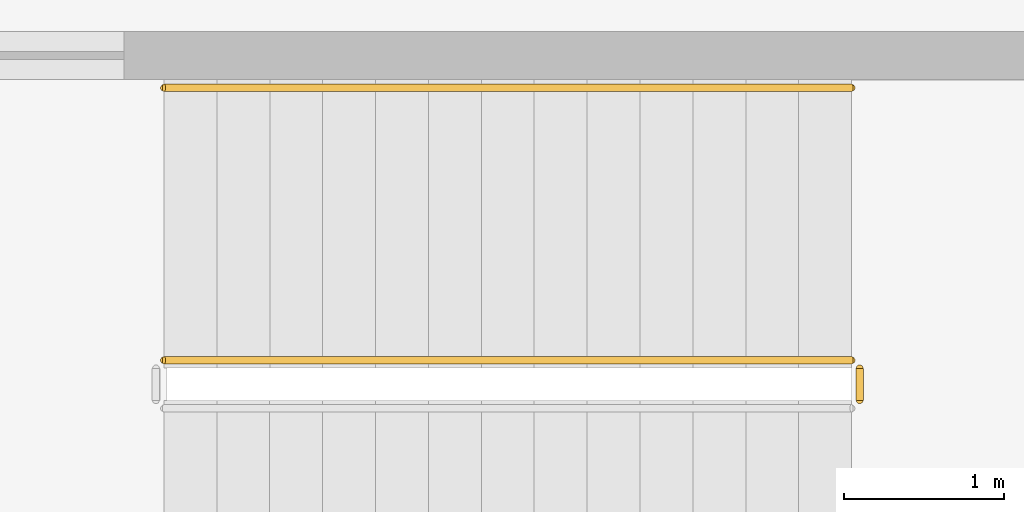
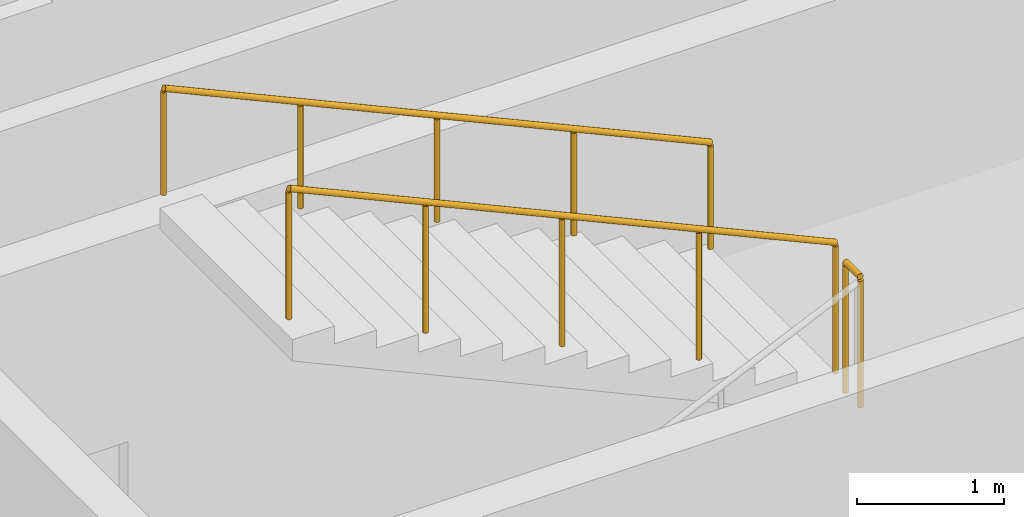
# One storey, part 143 of 147: 3 railings.
"""IFC4 building model written with IfcOpenShell, lengths in metres."""

import ifcopenshell
import ifcopenshell.guid

model = None  # the IFC model being written
_history = None  # IfcOwnerHistory: only IFC2X3 demands one
_inside = {}  # id of a spatial element -> (the spatial element, [elements in it])
_under = {}  # id of a project, library or spatial element -> (it, [spatial elements below it])
_declared = {}  # id of a project -> (the project, [libraries it declares])
_typed = {}  # id of a type object -> (the type object, [elements of that type])
_made_of = {}  # id of a material, layer set ... -> (it, [elements and type objects made of it])


def new_model(schema):
    """Start an empty IFC model of exactly this schema.

    Asked for "IFC4X3", IfcOpenShell would pick the latest addendum, in which some entities
    have other attributes; the version numbers below select the first issue.
    IFC2X3 requires an IfcOwnerHistory on every rooted entity: one is made here for all.
    """
    global model, _history
    if schema == "IFC4X3":
        model = ifcopenshell.file(schema_version=(4, 3, 0, 0))
    else:
        model = ifcopenshell.file(schema=schema)
    _inside.clear()
    _under.clear()
    _declared.clear()
    _typed.clear()
    _made_of.clear()
    _history = None
    if model.schema == "IFC2X3":
        org = make("IfcOrganization", Name="unknown")
        user = make(
            "IfcPersonAndOrganization",
            ThePerson=make("IfcPerson", FamilyName="unknown"),
            TheOrganization=org,
        )
        app = make(
            "IfcApplication",
            ApplicationDeveloper=org,
            Version="unknown",
            ApplicationFullName="unknown",
            ApplicationIdentifier="unknown",
        )
        _history = make(
            "IfcOwnerHistory",
            OwningUser=user,
            OwningApplication=app,
            ChangeAction="ADDED",
            CreationDate=0,
        )
    return model


def make(cls, **values):
    """One entity of the class cls with the attributes given. An attribute that is None is left unset."""
    return model.create_entity(
        cls, **{name: value for name, value in values.items() if value is not None}
    )


def rooted(cls, **values):
    """An entity with a GlobalId (a new one), such as an element, a storey or a relation."""
    return make(cls, GlobalId=ifcopenshell.guid.new(), OwnerHistory=_history, **values)


def si_unit(unit_type, name, prefix=None):
    """IfcSIUnit, for example si_unit("LENGTHUNIT", "METRE", prefix="MILLI")."""
    return make("IfcSIUnit", UnitType=unit_type, Prefix=prefix, Name=name)


def assignment(units):
    """IfcUnitAssignment: the units of a project."""
    return None if units is None else make("IfcUnitAssignment", Units=units)


def point(xyz):
    """IfcCartesianPoint."""
    return None if xyz is None else make("IfcCartesianPoint", Coordinates=xyz)


def direction(xyz):
    """IfcDirection."""
    return None if xyz is None else make("IfcDirection", DirectionRatios=xyz)


def frame(location, z_axis=None, x_axis=None):
    """IfcAxis2Placement3D, a coordinate frame: its origin and axes. An axis left out is left unset."""
    return make(
        "IfcAxis2Placement3D",
        Location=point(location),
        Axis=direction(z_axis),
        RefDirection=direction(x_axis),
    )


def frame_2d(location, x_axis=None):
    """IfcAxis2Placement2D, a coordinate frame in the plane: its origin and x axis."""
    return make(
        "IfcAxis2Placement2D", Location=point(location), RefDirection=direction(x_axis)
    )


def origin():
    """The frame at (0, 0, 0) with its axes left unset."""
    return frame((0.0, 0.0, 0.0))


def origin_2d():
    """The frame at (0, 0) in the plane with its x axis left unset."""
    return frame_2d((0.0, 0.0))


def place(relative_to, where):
    """IfcLocalPlacement: puts the frame where relative to a parent placement (None: the world)."""
    return make(
        "IfcLocalPlacement", PlacementRelTo=relative_to, RelativePlacement=where
    )


def context(
    kind, dimensions, precision=None, world=None, true_north=None, identifier=None
):
    """IfcGeometricRepresentationContext, for example the 3D "Model" context."""
    return make(
        "IfcGeometricRepresentationContext",
        ContextIdentifier=identifier,
        ContextType=kind,
        CoordinateSpaceDimension=dimensions,
        Precision=precision,
        WorldCoordinateSystem=world,
        TrueNorth=true_north,
    )


def subcontext(parent, identifier, kind, view, scale=None):
    """IfcGeometricRepresentationSubContext, for example "Body" below "Model"."""
    return make(
        "IfcGeometricRepresentationSubContext",
        ContextIdentifier=identifier,
        ContextType=kind,
        ParentContext=parent,
        TargetScale=scale,
        TargetView=view,
    )


def project(units=None, contexts=None):
    """IfcProject with its units and contexts."""
    return rooted(
        "IfcProject",
        Name="project",
        RepresentationContexts=contexts,
        UnitsInContext=assignment(units),
    )


def spatial(cls, under=None, at=None, **own):
    """A site, building, storey or space (cls), placed at a placement, below another one or the project."""
    s = rooted(cls, ObjectPlacement=at, **own)
    if under is not None:
        _under.setdefault(under.id(), (under, []))[1].append(s)
    return s


def profile(cls, at=None, kind="AREA", **sizes):
    """A parametric profile (cls). Its sizes go by their IFC names, for example OverallWidth=200.0."""
    return make(cls, ProfileType=kind, Position=at, **sizes)


def circle(**sizes):
    """IfcCircleProfileDef."""
    return profile("IfcCircleProfileDef", **sizes)


def extrude(swept, where, along, depth):
    """IfcExtrudedAreaSolid: the profile swept, set in the frame where, extruded along a direction by depth."""
    return make(
        "IfcExtrudedAreaSolid",
        SweptArea=swept,
        Position=where,
        ExtrudedDirection=direction(along),
        Depth=depth,
    )


def shape(context_of_items, identifier, shape_type, items):
    """IfcShapeRepresentation: the items that make up one representation, for example the "Body"."""
    return make(
        "IfcShapeRepresentation",
        ContextOfItems=context_of_items,
        RepresentationIdentifier=identifier,
        RepresentationType=shape_type,
        Items=items,
    )


def material(Name=None, Category=None):
    """IfcMaterial."""
    return make("IfcMaterial", Name=Name, Category=Category)


def layer(
    of_material, thickness, ventilated=None, Name=None, Category=None, Priority=None
):
    """IfcMaterialLayer: one layer of a wall or slab, of a material (None: an air gap)."""
    return make(
        "IfcMaterialLayer",
        Material=of_material,
        LayerThickness=thickness,
        IsVentilated=ventilated,
        Name=Name,
        Category=Category,
        Priority=Priority,
    )


def layer_set(layers, Name=None):
    """IfcMaterialLayerSet."""
    return make("IfcMaterialLayerSet", MaterialLayers=layers, LayerSetName=Name)


def made_of(thing, what):
    """Note that an element or type object is made of a material, layer set ...; save() writes the relation."""
    if what is not None:
        _made_of.setdefault(what.id(), (what, []))[1].append(thing)
    return thing


def type_object(cls, material=None, **own):
    """A type object (cls), such as IfcWallType, which elements share."""
    return made_of(rooted(cls, **own), material)


def element(
    cls,
    number,
    at=None,
    inside=None,
    cuts=None,
    type_object=None,
    material=None,
    context=None,
    identifier="Body",
    shape_type=None,
    held_by="IfcProductDefinitionShape",
    body=None,
    shapes=None,
    **own,
):
    """One element of the class cls, such as IfcWall. Its Tag is "e" and its number.

    at: its placement. inside: the storey or other place that contains it. cuts: it is an
    opening in that element (IfcRelVoidsElement). A single representation is given by context,
    identifier, shape_type and body (its items); several are given by shapes. held_by: the class
    of the entity that holds the representations. save() writes the other relations.
    """
    e = rooted(cls, Tag="e%d" % number, ObjectPlacement=at, **own)
    if body is not None:
        shapes = [shape(context, identifier, shape_type, body)]
    if shapes is not None:
        e.Representation = make(held_by, Representations=shapes)
    if inside is not None:
        _inside.setdefault(inside.id(), (inside, []))[1].append(e)
    if cuts is not None:
        rooted(
            "IfcRelVoidsElement", RelatingBuildingElement=cuts, RelatedOpeningElement=e
        )
    if type_object is not None:
        _typed.setdefault(type_object.id(), (type_object, []))[1].append(e)
    return made_of(e, material)


def aggregate(whole, parts):
    """IfcRelAggregates: a whole, such as a stair, and the parts it consists of."""
    return rooted("IfcRelAggregates", RelatingObject=whole, RelatedObjects=parts)


def save(model, path):
    """Write the relations noted so far, then the file.

    IfcRelAggregates (storeys below a building ...), IfcRelContainedInSpatialStructure (elements
    in a storey), IfcRelDefinesByType, IfcRelAssociatesMaterial and IfcRelDeclares: one each for
    every whole, place, type object, material and project.
    """
    for whole, parts in _under.values():
        aggregate(whole, parts)
    for where, things in _inside.values():
        rooted(
            "IfcRelContainedInSpatialStructure",
            RelatedElements=things,
            RelatingStructure=where,
        )
    for kind, things in _typed.values():
        rooted("IfcRelDefinesByType", RelatedObjects=things, RelatingType=kind)
    for what, things in _made_of.values():
        rooted("IfcRelAssociatesMaterial", RelatedObjects=things, RelatingMaterial=what)
    for by, libraries in _declared.values():
        rooted("IfcRelDeclares", RelatingContext=by, RelatedDefinitions=libraries)
    model.write(path)


model = new_model("IFC4")

# Units and contexts
model_context = context("Model", 3, precision=1e-05, world=origin(), true_north=direction((0.0, 1.0)))
body_context = subcontext(model_context, "Body", "Model", "MODEL_VIEW")
ifc_project = project(units=[si_unit("LENGTHUNIT", "METRE"), si_unit("AREAUNIT", "SQUARE_METRE"), si_unit("VOLUMEUNIT", "CUBIC_METRE"), si_unit("PLANEANGLEUNIT", "RADIAN"), si_unit("MASSUNIT", "GRAM", prefix="KILO")], contexts=[model_context])

# Site, building, storey
site_placement = place(None, origin())
site = spatial("IfcSite", under=ifc_project, at=site_placement, CompositionType="ELEMENT")
building_placement = place(site_placement, origin())
building = spatial("IfcBuilding", under=site, at=building_placement, Name="Malvenik Polytechnic", CompositionType="ELEMENT")
storey_placement = place(building_placement, frame((0.0, 0.0, 5.10009765625)))
storey = spatial("IfcBuildingStorey", under=building, at=storey_placement, Name="L01", CompositionType="ELEMENT", Elevation=5.10009765625)

# Railings
ifc_material_1 = material(Name="Painted galvanised steel stair well balustrade 1100mm", Category="steel")
ifc_layer_1 = layer(ifc_material_1, 0.050048828125)
ifc_layer_set_1 = layer_set([ifc_layer_1], Name="Painted galvanised steel stair well balustrade 1100mm")
railing_type_1 = type_object("IfcRailingType", Name="ARC-RL-STGD", PredefinedType="BALUSTRADE", material=ifc_layer_set_1)
railing_1_placement = place(storey_placement, frame((15.739990234375, 120.949951171875, 2.099853515625)))
element("IfcRailing", 1, at=railing_1_placement, inside=storey, type_object=railing_type_1, Name="L01 ST-01 stair guard 2", PredefinedType="BALUSTRADE", context=body_context, shape_type="SweptSolid", body=[
    extrude(circle(Radius=0.02392578125, at=origin_2d()), frame((0.0, 0.0, 1.076171875), z_axis=(0.0, 1.0, 0.0), x_axis=(-1.0, 0.0, 0.0)), (0.0, 0.0, 1.0), 0.199951171875),
    extrude(circle(Radius=0.02099609375, at=origin_2d()), origin(), (0.0, 0.0, 1.0), 1.052001953125),
    extrude(circle(Radius=0.02099609375, at=origin_2d()), frame((0.0, 0.199951171875, 0.0)), (0.0, 0.0, 1.0), 1.052001953125),
])
railing_2_placement = place(storey_placement, frame((15.68994140625, 121.199951171875, 2.25)))
element("IfcRailing", 2, at=railing_2_placement, inside=storey, type_object=railing_type_1, Name="L01 ST-01 stair guard 3", PredefinedType="BALUSTRADE", context=body_context, shape_type="SweptSolid", body=[
    extrude(circle(Radius=0.02392578125, at=origin_2d()), frame((0.0, 0.0, 1.076171875), z_axis=(-0.910371800137, 0.0, 0.413791234219), x_axis=(0.0, -1.0, 0.0)), (0.0, 0.0, 1.0), 4.71240234375),
    extrude(circle(Radius=0.02099609375, at=origin_2d()), origin(), (0.0, 0.0, 1.0), 1.052001953125),
    extrude(circle(Radius=0.02099609375, at=origin_2d()), frame((-1.072509765625, 0.0, 0.487548828125)), (0.0, 0.0, 1.0), 1.052001953125),
    extrude(circle(Radius=0.02099609375, at=origin_2d()), frame((-2.14501953125, 0.0, 0.97509765625)), (0.0, 0.0, 1.0), 1.052001953125),
    extrude(circle(Radius=0.02099609375, at=origin_2d()), frame((-3.217529296875, 0.0, 1.46240234375)), (0.0, 0.0, 1.0), 1.052001953125),
    extrude(circle(Radius=0.02099609375, at=origin_2d()), frame((-4.2900390625, 0.0, 1.949951171875)), (0.0, 0.0, 1.0), 1.052001953125),
])
ifc_material_2 = material(Name="Brushed stainless steel 1.4301 stair wall handrail", Category="steel")
ifc_layer_2 = layer(ifc_material_2, 0.044921875)
ifc_layer_set_2 = layer_set([ifc_layer_2], Name="Brushed stainless steel 1.4301 stair wall handrail")
railing_type_2 = type_object("IfcRailingType", Name="ARC-RL-STHR", PredefinedType="HANDRAIL", material=ifc_layer_set_2)
railing_3_placement = place(storey_placement, frame((15.68994140625, 122.89990234375, 2.25)))
element("IfcRailing", 3, at=railing_3_placement, inside=storey, type_object=railing_type_2, Name="L01 ST-01 stair handrail 2", PredefinedType="HANDRAIL", context=body_context, shape_type="SweptSolid", body=[
    extrude(circle(Radius=0.02392578125, at=origin_2d()), frame((0.0, 0.0, 0.8759765625), z_axis=(-0.910371800137, 0.0, 0.413791234219), x_axis=(0.0, -1.0, 0.0)), (0.0, 0.0, 1.0), 4.71240234375),
    extrude(circle(Radius=0.02099609375, at=origin_2d()), origin(), (0.0, 0.0, 1.0), 0.851806640625),
    extrude(circle(Radius=0.02099609375, at=origin_2d()), frame((-1.072509765625, 0.0, 0.487548828125)), (0.0, 0.0, 1.0), 0.851806640625),
    extrude(circle(Radius=0.02099609375, at=origin_2d()), frame((-2.14501953125, 0.0, 0.97509765625)), (0.0, 0.0, 1.0), 0.851806640625),
    extrude(circle(Radius=0.02099609375, at=origin_2d()), frame((-3.217529296875, 0.0, 1.46240234375)), (0.0, 0.0, 1.0), 0.851806640625),
    extrude(circle(Radius=0.02099609375, at=origin_2d()), frame((-4.2900390625, 0.0, 1.949951171875)), (0.0, 0.0, 1.0), 0.851806640625),
])

save(model, "model.ifc")
